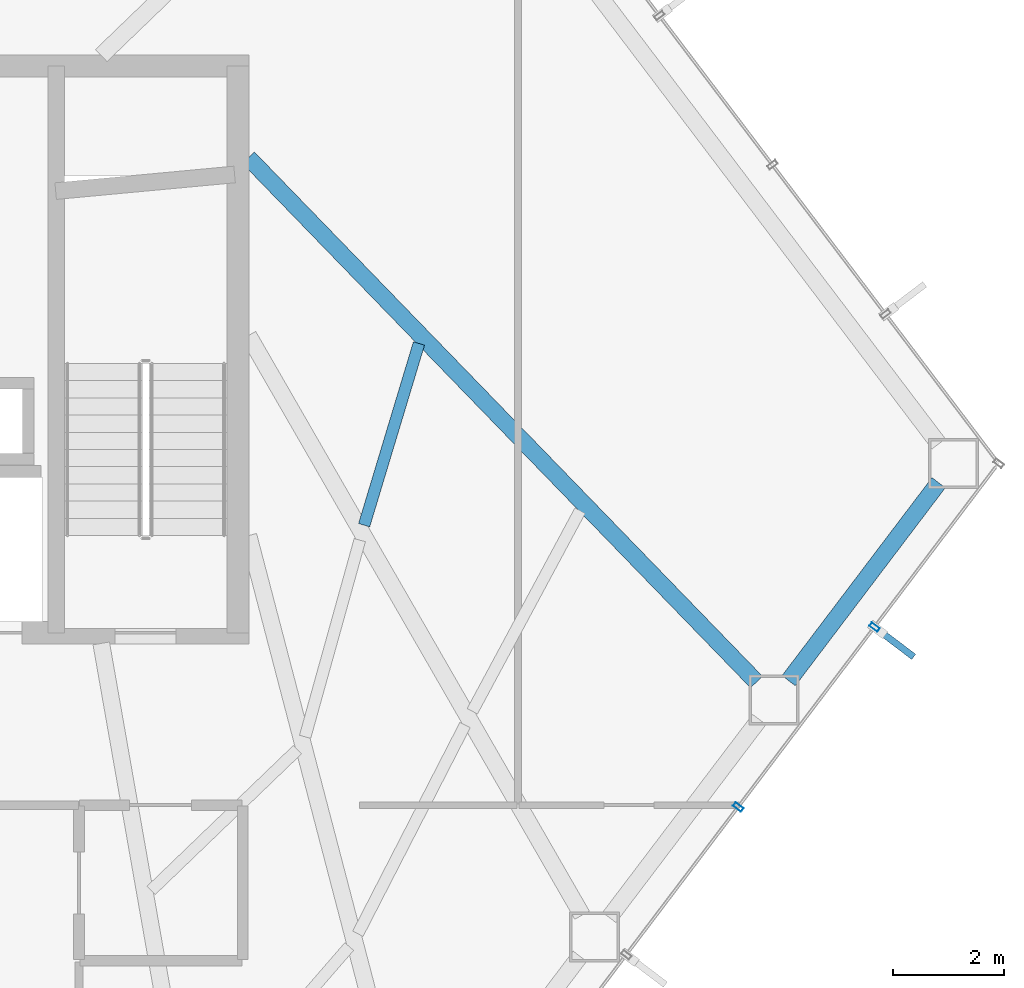
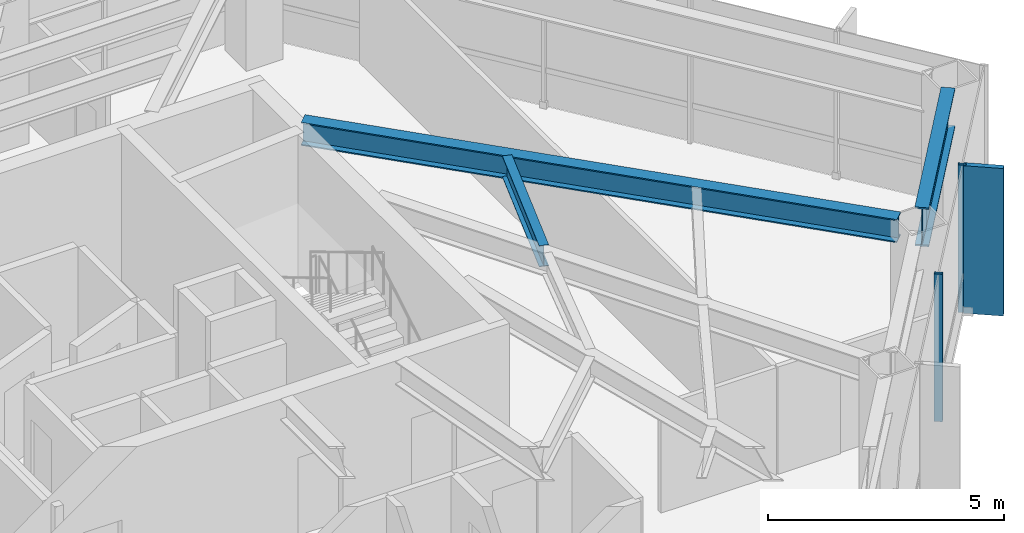
# One storey, part 16 of 24: 3 beams, 3 members, 1 element without a shape of its own.
"""IFC4 building model written with IfcOpenShell, lengths in metres."""

from ifc_helpers import new_model, si_unit, direction, frame, origin, origin_2d, place, context, subcontext, project, spatial, rectangle, hollow_rectangle, i_section, extrude, material, layer, layer_set, material_profile, profile_set, type_object, element, aggregate, save


model = new_model("IFC4")

# Units and contexts
model_context = context("Model", 3, precision=1e-05, world=origin(), true_north=direction((0.0, 1.0)))
body_context = subcontext(model_context, "Body", "Model", "MODEL_VIEW")
ifc_project = project(units=[si_unit("LENGTHUNIT", "METRE"), si_unit("AREAUNIT", "SQUARE_METRE"), si_unit("VOLUMEUNIT", "CUBIC_METRE"), si_unit("PLANEANGLEUNIT", "RADIAN"), si_unit("MASSUNIT", "GRAM", prefix="KILO")], contexts=[model_context])

# Site, building, storey
site_placement = place(None, origin())
site = spatial("IfcSite", under=ifc_project, at=site_placement, CompositionType="ELEMENT")
building_placement = place(site_placement, origin())
building = spatial("IfcBuilding", under=site, at=building_placement, Name="Zarrinselat Tower", CompositionType="ELEMENT")
storey_placement = place(building_placement, frame((0.0, 0.0, 72.419921875)))
storey = spatial("IfcBuildingStorey", under=building, at=storey_placement, Name="L17", CompositionType="ELEMENT", Elevation=72.419921875)

# Beams
ifc_material_1 = material(Name="Steel S355J2", Category="steel")
ifc_material_profile_1 = material_profile(ifc_material_1, i_section(OverallWidth=0.300048828125, OverallDepth=0.60009765625, WebThickness=0.015380859375, FlangeThickness=0.030029296875, at=origin_2d()), Name="HEB 600")
ifc_profile_set_1 = profile_set([ifc_material_profile_1], Name="Steel S355J2")
beam_type_1 = type_object("IfcBeamType", Name="BM-HEB600", PredefinedType="BEAM", material=ifc_profile_set_1)
beam_1_placement = place(storey_placement, frame((48.449951171875, 41.800048828125, 3.52001953125), z_axis=(0.695898254453, -0.718140389792, 0.0), x_axis=(0.718140389792, 0.695898254453, 0.0)))
element("IfcBeam", 1, at=beam_1_placement, inside=storey, type_object=beam_type_1, Name="L17 Radial Primary Girder RG14", PredefinedType="BEAM", context=body_context, shape_type="SweptSolid", body=[
    extrude(i_section(OverallWidth=0.300048828125, OverallDepth=0.60009765625, WebThickness=0.015380859375, FlangeThickness=0.030029296875, at=origin_2d()), origin(), (0.0, 0.0, 1.0), 13.138916015625),
])
ifc_material_2 = material(Name="Steel S460M", Category="steel")
ifc_material_profile_2 = material_profile(ifc_material_2, i_section(OverallWidth=0.302001953125, OverallDepth=1.008056640625, WebThickness=0.02099609375, FlangeThickness=0.0400390625, at=origin_2d()), Name="HEM 1000")
ifc_profile_set_2 = profile_set([ifc_material_profile_2], Name="Steel S460M")
beam_type_2 = type_object("IfcBeamType", Name="BM-HEM1000", PredefinedType="BEAM", material=ifc_profile_set_2)
beam_2_placement = place(storey_placement, frame((58.172119140625, 32.388916015625, 3.316162109375), z_axis=(0.603837710375, 0.797107282321, 0.0), x_axis=(-0.797107282321, 0.603837710375, 0.0)))
element("IfcBeam", 2, at=beam_2_placement, inside=storey, type_object=beam_type_2, Name="L17 Perimeter Spandrel Girder SP14", PredefinedType="BEAM", context=body_context, shape_type="SweptSolid", body=[
    extrude(i_section(OverallWidth=0.302001953125, OverallDepth=1.008056640625, WebThickness=0.02099609375, FlangeThickness=0.0400390625, at=origin_2d()), origin(), (0.0, 0.0, 1.0), 4.470458984375),
])
ifc_material_3 = material(Name="Steel S355J2", Category="steel")
ifc_material_profile_3 = material_profile(ifc_material_3, i_section(OverallWidth=0.2099609375, OverallDepth=0.550048828125, WebThickness=0.010986328125, FlangeThickness=0.01708984375, at=origin_2d()), Name="IPE 550")
ifc_profile_set_3 = profile_set([ifc_material_profile_3], Name="Steel S355J2")
beam_type_3 = type_object("IfcBeamType", Name="BM-IPE550", PredefinedType="JOIST", material=ifc_profile_set_3)
beam_3_placement = place(storey_placement, frame((50.53173828125, 35.187744140625, 3.545166015625), z_axis=(0.288822907405, 0.957382540136, 0.0), x_axis=(-0.957382540136, 0.288822907405, 0.0)))
element("IfcBeam", 3, at=beam_3_placement, inside=storey, type_object=beam_type_3, Name="L17 Composite Floor Joist 5-2", PredefinedType="JOIST", context=body_context, shape_type="SweptSolid", body=[
    extrude(i_section(OverallWidth=0.2099609375, OverallDepth=0.550048828125, WebThickness=0.010986328125, FlangeThickness=0.01708984375, at=origin_2d()), origin(), (0.0, 0.0, 1.0), 3.415771484375),
])

# Curtain wall, members
ifc_material_4 = material(Name="Extruded Aluminium Alloy EN AW-6063 T6", Category="aluminium")
ifc_layer = layer(ifc_material_4, 0.18505859375)
ifc_layer_set = layer_set([ifc_layer], Name="Extruded Aluminium Alloy EN AW-6063 T6")
curtain_wall_type = type_object("IfcCurtainWallType", Name="CWS-OFF", PredefinedType="NOTDEFINED", material=ifc_layer_set)
curtain_wall_placement = place(storey_placement, origin())
curtain_wall = element("IfcCurtainWall", 4, at=curtain_wall_placement, inside=storey, type_object=curtain_wall_type, Name="L17 Unitised Curtain Wall CW-L17-E05", PredefinedType="NOTDEFINED")
ifc_material_5 = material(Name="Extruded Aluminium Alloy EN AW-6063 T6", Category="aluminium")
ifc_material_profile_4 = material_profile(ifc_material_5, hollow_rectangle(XDim=0.080078125, YDim=0.179931640625, WallThickness=0.0048828125, at=origin_2d()), Name="RHS 180x80x5")
ifc_profile_set_4 = profile_set([ifc_material_profile_4], Name="Extruded Aluminium Alloy EN AW-6063 T6")
member_type_1 = type_object("IfcMemberType", Name="MEM-CW-MUL", PredefinedType="MULLION", material=ifc_profile_set_4)
member_1_placement = place(storey_placement, frame((57.263916015625, 30.11376953125, 0.0), z_axis=(0.0, 0.0, 1.0), x_axis=(0.603855086386, 0.797094119063, 0.0)))
member_1 = element("IfcMember", 5, at=member_1_placement, type_object=member_type_1, Name="CW-L17-E05 Mullion 4", PredefinedType="MULLION", context=body_context, shape_type="SweptSolid", body=[
    extrude(hollow_rectangle(XDim=0.080078125, YDim=0.179931640625, WallThickness=0.0048828125, at=origin_2d()), origin(), (0.0, 0.0, 1.0), 3.820068359375),
])
member_2_placement = place(storey_placement, frame((59.71728515625, 33.352294921875, 0.0), z_axis=(0.0, 0.0, 1.0), x_axis=(0.603855086386, 0.797094119063, 0.0)))
member_2 = element("IfcMember", 6, at=member_2_placement, type_object=member_type_1, Name="CW-L17-E05 Mullion 5", PredefinedType="MULLION", context=body_context, shape_type="SweptSolid", body=[
    extrude(hollow_rectangle(XDim=0.080078125, YDim=0.179931640625, WallThickness=0.0048828125, at=origin_2d()), origin(), (0.0, 0.0, 1.0), 3.820068359375),
])
ifc_material_6 = material(Name="Honed Cream Travertine Stone", Category="masonry")
ifc_material_profile_5 = material_profile(ifc_material_6, rectangle(XDim=0.1201171875, YDim=0.85009765625, at=origin_2d()), Name="FIN 850x120")
ifc_profile_set_5 = profile_set([ifc_material_profile_5], Name="Honed Cream Travertine Stone")
member_type_2 = type_object("IfcMemberType", Name="MEM-STONE-FIN", PredefinedType="USERDEFINED", material=ifc_profile_set_5)
member_3_placement = place(storey_placement, frame((60.083984375, 33.074462890625, 0.0), z_axis=(0.0, 0.0, 1.0), x_axis=(-0.603855086386, -0.797094119063, 0.0)))
member_3 = element("IfcMember", 7, at=member_3_placement, type_object=member_type_2, Name="L17 Stone Shading Fin CW-L17-E05-05", ObjectType="FIN", PredefinedType="USERDEFINED", context=body_context, shape_type="SweptSolid", body=[
    extrude(rectangle(XDim=0.1201171875, YDim=0.85009765625, at=origin_2d()), origin(), (0.0, 0.0, 1.0), 3.820068359375),
])
aggregate(curtain_wall, [member_1, member_2, member_3])

save(model, "model.ifc")
